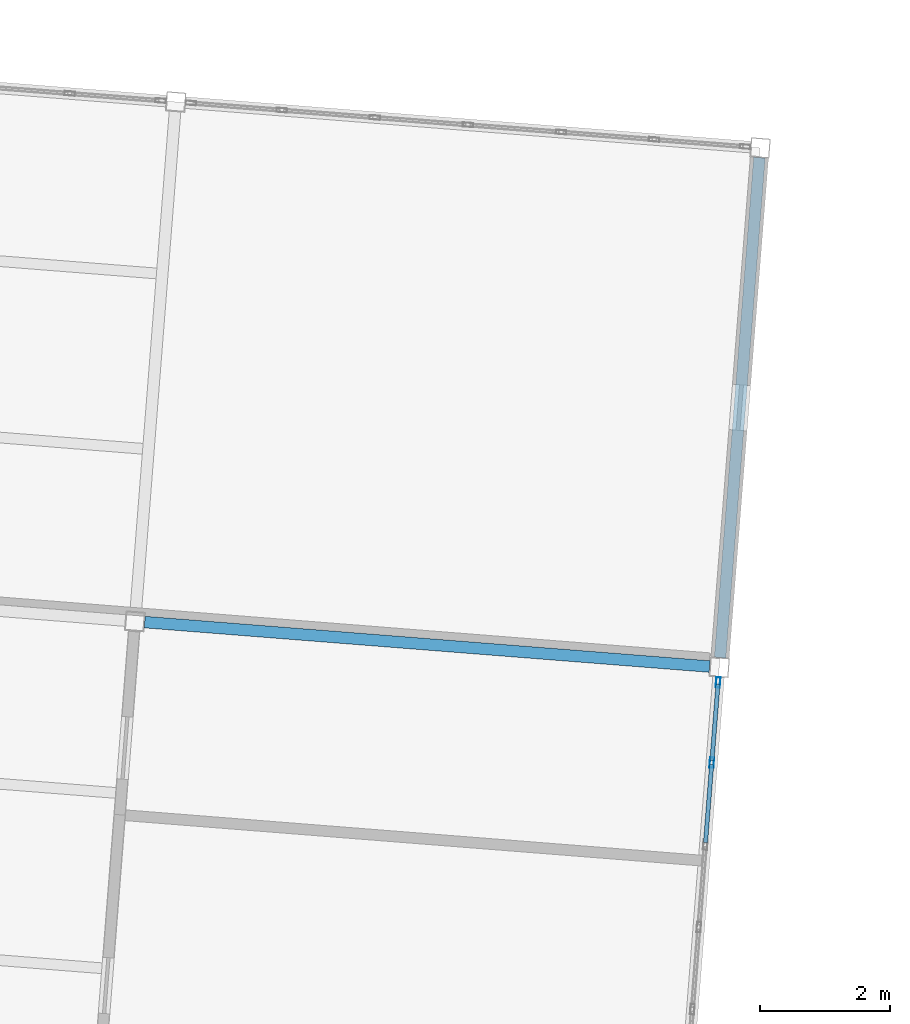
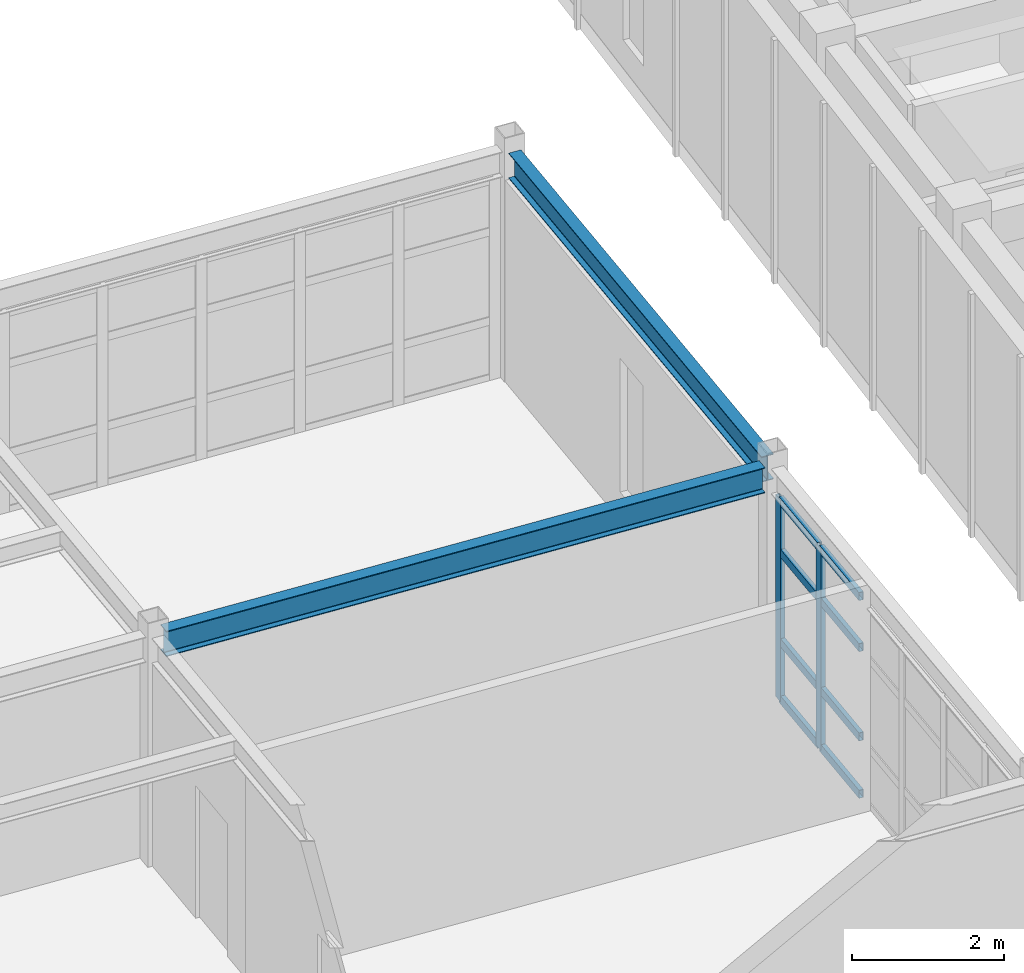
# One storey, part 54 of 150: 10 members, 2 beams, 1 element without a shape of its own.
"""IFC4 building model written with IfcOpenShell, lengths in metres."""

import ifcopenshell
import ifcopenshell.guid

model = None  # the IFC model being written
_history = None  # IfcOwnerHistory: only IFC2X3 demands one
_inside = {}  # id of a spatial element -> (the spatial element, [elements in it])
_under = {}  # id of a project, library or spatial element -> (it, [spatial elements below it])
_declared = {}  # id of a project -> (the project, [libraries it declares])
_typed = {}  # id of a type object -> (the type object, [elements of that type])
_made_of = {}  # id of a material, layer set ... -> (it, [elements and type objects made of it])


def new_model(schema):
    """Start an empty IFC model of exactly this schema.

    Asked for "IFC4X3", IfcOpenShell would pick the latest addendum, in which some entities
    have other attributes; the version numbers below select the first issue.
    IFC2X3 requires an IfcOwnerHistory on every rooted entity: one is made here for all.
    """
    global model, _history
    if schema == "IFC4X3":
        model = ifcopenshell.file(schema_version=(4, 3, 0, 0))
    else:
        model = ifcopenshell.file(schema=schema)
    _inside.clear()
    _under.clear()
    _declared.clear()
    _typed.clear()
    _made_of.clear()
    _history = None
    if model.schema == "IFC2X3":
        org = make("IfcOrganization", Name="unknown")
        user = make(
            "IfcPersonAndOrganization",
            ThePerson=make("IfcPerson", FamilyName="unknown"),
            TheOrganization=org,
        )
        app = make(
            "IfcApplication",
            ApplicationDeveloper=org,
            Version="unknown",
            ApplicationFullName="unknown",
            ApplicationIdentifier="unknown",
        )
        _history = make(
            "IfcOwnerHistory",
            OwningUser=user,
            OwningApplication=app,
            ChangeAction="ADDED",
            CreationDate=0,
        )
    return model


def make(cls, **values):
    """One entity of the class cls with the attributes given. An attribute that is None is left unset."""
    return model.create_entity(
        cls, **{name: value for name, value in values.items() if value is not None}
    )


def rooted(cls, **values):
    """An entity with a GlobalId (a new one), such as an element, a storey or a relation."""
    return make(cls, GlobalId=ifcopenshell.guid.new(), OwnerHistory=_history, **values)


def si_unit(unit_type, name, prefix=None):
    """IfcSIUnit, for example si_unit("LENGTHUNIT", "METRE", prefix="MILLI")."""
    return make("IfcSIUnit", UnitType=unit_type, Prefix=prefix, Name=name)


def assignment(units):
    """IfcUnitAssignment: the units of a project."""
    return None if units is None else make("IfcUnitAssignment", Units=units)


def point(xyz):
    """IfcCartesianPoint."""
    return None if xyz is None else make("IfcCartesianPoint", Coordinates=xyz)


def direction(xyz):
    """IfcDirection."""
    return None if xyz is None else make("IfcDirection", DirectionRatios=xyz)


def frame(location, z_axis=None, x_axis=None):
    """IfcAxis2Placement3D, a coordinate frame: its origin and axes. An axis left out is left unset."""
    return make(
        "IfcAxis2Placement3D",
        Location=point(location),
        Axis=direction(z_axis),
        RefDirection=direction(x_axis),
    )


def frame_2d(location, x_axis=None):
    """IfcAxis2Placement2D, a coordinate frame in the plane: its origin and x axis."""
    return make(
        "IfcAxis2Placement2D", Location=point(location), RefDirection=direction(x_axis)
    )


def origin():
    """The frame at (0, 0, 0) with its axes left unset."""
    return frame((0.0, 0.0, 0.0))


def origin_2d():
    """The frame at (0, 0) in the plane with its x axis left unset."""
    return frame_2d((0.0, 0.0))


def place(relative_to, where):
    """IfcLocalPlacement: puts the frame where relative to a parent placement (None: the world)."""
    return make(
        "IfcLocalPlacement", PlacementRelTo=relative_to, RelativePlacement=where
    )


def context(
    kind, dimensions, precision=None, world=None, true_north=None, identifier=None
):
    """IfcGeometricRepresentationContext, for example the 3D "Model" context."""
    return make(
        "IfcGeometricRepresentationContext",
        ContextIdentifier=identifier,
        ContextType=kind,
        CoordinateSpaceDimension=dimensions,
        Precision=precision,
        WorldCoordinateSystem=world,
        TrueNorth=true_north,
    )


def subcontext(parent, identifier, kind, view, scale=None):
    """IfcGeometricRepresentationSubContext, for example "Body" below "Model"."""
    return make(
        "IfcGeometricRepresentationSubContext",
        ContextIdentifier=identifier,
        ContextType=kind,
        ParentContext=parent,
        TargetScale=scale,
        TargetView=view,
    )


def project(units=None, contexts=None):
    """IfcProject with its units and contexts."""
    return rooted(
        "IfcProject",
        Name="project",
        RepresentationContexts=contexts,
        UnitsInContext=assignment(units),
    )


def spatial(cls, under=None, at=None, **own):
    """A site, building, storey or space (cls), placed at a placement, below another one or the project."""
    s = rooted(cls, ObjectPlacement=at, **own)
    if under is not None:
        _under.setdefault(under.id(), (under, []))[1].append(s)
    return s


def profile(cls, at=None, kind="AREA", **sizes):
    """A parametric profile (cls). Its sizes go by their IFC names, for example OverallWidth=200.0."""
    return make(cls, ProfileType=kind, Position=at, **sizes)


def hollow_rectangle(**sizes):
    """IfcRectangleHollowProfileDef."""
    return profile("IfcRectangleHollowProfileDef", **sizes)


def i_section(**sizes):
    """IfcIShapeProfileDef."""
    return profile("IfcIShapeProfileDef", **sizes)


def extrude(swept, where, along, depth):
    """IfcExtrudedAreaSolid: the profile swept, set in the frame where, extruded along a direction by depth."""
    return make(
        "IfcExtrudedAreaSolid",
        SweptArea=swept,
        Position=where,
        ExtrudedDirection=direction(along),
        Depth=depth,
    )


def shape(context_of_items, identifier, shape_type, items):
    """IfcShapeRepresentation: the items that make up one representation, for example the "Body"."""
    return make(
        "IfcShapeRepresentation",
        ContextOfItems=context_of_items,
        RepresentationIdentifier=identifier,
        RepresentationType=shape_type,
        Items=items,
    )


def material(Name=None, Category=None):
    """IfcMaterial."""
    return make("IfcMaterial", Name=Name, Category=Category)


def material_profile(
    of_material, cross_section, Name=None, Category=None, Priority=None
):
    """IfcMaterialProfile: a cross section and its material."""
    return make(
        "IfcMaterialProfile",
        Name=Name,
        Material=of_material,
        Profile=cross_section,
        Priority=Priority,
        Category=Category,
    )


def profile_set(profiles, Name=None, composite=None):
    """IfcMaterialProfileSet."""
    return make(
        "IfcMaterialProfileSet",
        Name=Name,
        MaterialProfiles=profiles,
        CompositeProfile=composite,
    )


def made_of(thing, what):
    """Note that an element or type object is made of a material, layer set ...; save() writes the relation."""
    if what is not None:
        _made_of.setdefault(what.id(), (what, []))[1].append(thing)
    return thing


def type_object(cls, material=None, **own):
    """A type object (cls), such as IfcWallType, which elements share."""
    return made_of(rooted(cls, **own), material)


def element(
    cls,
    number,
    at=None,
    inside=None,
    cuts=None,
    type_object=None,
    material=None,
    context=None,
    identifier="Body",
    shape_type=None,
    held_by="IfcProductDefinitionShape",
    body=None,
    shapes=None,
    **own,
):
    """One element of the class cls, such as IfcWall. Its Tag is "e" and its number.

    at: its placement. inside: the storey or other place that contains it. cuts: it is an
    opening in that element (IfcRelVoidsElement). A single representation is given by context,
    identifier, shape_type and body (its items); several are given by shapes. held_by: the class
    of the entity that holds the representations. save() writes the other relations.
    """
    e = rooted(cls, Tag="e%d" % number, ObjectPlacement=at, **own)
    if body is not None:
        shapes = [shape(context, identifier, shape_type, body)]
    if shapes is not None:
        e.Representation = make(held_by, Representations=shapes)
    if inside is not None:
        _inside.setdefault(inside.id(), (inside, []))[1].append(e)
    if cuts is not None:
        rooted(
            "IfcRelVoidsElement", RelatingBuildingElement=cuts, RelatedOpeningElement=e
        )
    if type_object is not None:
        _typed.setdefault(type_object.id(), (type_object, []))[1].append(e)
    return made_of(e, material)


def aggregate(whole, parts):
    """IfcRelAggregates: a whole, such as a stair, and the parts it consists of."""
    return rooted("IfcRelAggregates", RelatingObject=whole, RelatedObjects=parts)


def save(model, path):
    """Write the relations noted so far, then the file.

    IfcRelAggregates (storeys below a building ...), IfcRelContainedInSpatialStructure (elements
    in a storey), IfcRelDefinesByType, IfcRelAssociatesMaterial and IfcRelDeclares: one each for
    every whole, place, type object, material and project.
    """
    for whole, parts in _under.values():
        aggregate(whole, parts)
    for where, things in _inside.values():
        rooted(
            "IfcRelContainedInSpatialStructure",
            RelatedElements=things,
            RelatingStructure=where,
        )
    for kind, things in _typed.values():
        rooted("IfcRelDefinesByType", RelatedObjects=things, RelatingType=kind)
    for what, things in _made_of.values():
        rooted("IfcRelAssociatesMaterial", RelatedObjects=things, RelatingMaterial=what)
    for by, libraries in _declared.values():
        rooted("IfcRelDeclares", RelatingContext=by, RelatedDefinitions=libraries)
    model.write(path)


model = new_model("IFC4")

# Units and contexts
model_context = context("Model", 3, precision=1e-05, world=origin(), true_north=direction((0.0, 1.0)))
body_context = subcontext(model_context, "Body", "Model", "MODEL_VIEW")
ifc_project = project(units=[si_unit("LENGTHUNIT", "METRE"), si_unit("AREAUNIT", "SQUARE_METRE"), si_unit("VOLUMEUNIT", "CUBIC_METRE"), si_unit("PLANEANGLEUNIT", "RADIAN"), si_unit("MASSUNIT", "GRAM", prefix="KILO")], contexts=[model_context])

# Site, building, storey
site_placement = place(None, origin())
site = spatial("IfcSite", under=ifc_project, at=site_placement, CompositionType="ELEMENT")
building_placement = place(site_placement, origin())
building = spatial("IfcBuilding", under=site, at=building_placement, Name="Kestramere Prow Commons", CompositionType="ELEMENT")
storey_placement = place(building_placement, frame((0.0, 0.0, 4.5)))
storey = spatial("IfcBuildingStorey", under=building, at=storey_placement, Name="L01", CompositionType="ELEMENT", Elevation=4.5)

# Beams
ifc_material_1 = material(Name="Steel S355JR", Category="steel")
ifc_material_profile_1 = material_profile(ifc_material_1, i_section(OverallWidth=0.177978515625, OverallDepth=0.406494140625, WebThickness=0.0078125, FlangeThickness=0.0126953125, FilletRadius=0.01025390625, at=origin_2d()), Name="UB 406x178x60")
ifc_profile_set_1 = profile_set([ifc_material_profile_1], Name="Steel S355JR")
beam_type_1 = type_object("IfcBeamType", Name="BM-NR-01 UB 406x178x60", PredefinedType="BEAM", material=ifc_profile_set_1)
beam_1_placement = place(storey_placement, frame((96.921630859375, 99.320556640625, 3.44677734375), z_axis=(0.996917066238, -0.078462494502, 0.0), x_axis=(0.078462494502, 0.996917066238, 0.0)))
element("IfcBeam", 1, at=beam_1_placement, inside=storey, type_object=beam_type_1, Name="Nursery L01 Beam U 3-4", PredefinedType="BEAM", context=body_context, shape_type="SweptSolid", body=[
    extrude(i_section(OverallWidth=0.177978515625, OverallDepth=0.406494140625, WebThickness=0.0078125, FlangeThickness=0.0126953125, FilletRadius=0.01025390625, at=origin_2d()), origin(), (0.0, 0.0, 1.0), 8.699951171875),
])
ifc_material_profile_2 = material_profile(ifc_material_1, i_section(OverallWidth=0.177978515625, OverallDepth=0.406494140625, WebThickness=0.0078125, FlangeThickness=0.0126953125, FilletRadius=0.01025390625, at=origin_2d()), Name="UB 406x178x60")
ifc_profile_set_2 = profile_set([ifc_material_profile_2], Name="Steel S355JR")
beam_type_2 = type_object("IfcBeamType", Name="BM-NR-01 UB 406x178x60 (EX)", PredefinedType="BEAM", material=ifc_profile_set_2)
beam_2_placement = place(storey_placement, frame((105.756103515625, 98.775634765625, 3.44677734375), z_axis=(0.078473620365, 0.996916190513, 0.0), x_axis=(-0.996916190513, 0.078473620365, 0.0)))
element("IfcBeam", 2, at=beam_2_placement, inside=storey, type_object=beam_type_2, Name="Nursery L01 Beam V 5-3", PredefinedType="BEAM", context=body_context, shape_type="SweptSolid", body=[
    extrude(i_section(OverallWidth=0.177978515625, OverallDepth=0.406494140625, WebThickness=0.0078125, FlangeThickness=0.0126953125, FilletRadius=0.01025390625, at=origin_2d()), origin(), (0.0, 0.0, 1.0), 7.699951171875),
])

# Curtain wall, members
ifc_material_2 = material(Name="Anodised Aluminium and Low-E Glass", Category="aluminium")
curtain_wall_type = type_object("IfcCurtainWallType", Name="CW-16 Glazed Curtain Wall 7600x3230", PredefinedType="USERDEFINED", material=ifc_material_2)
curtain_wall_placement = place(storey_placement, origin())
curtain_wall = element("IfcCurtainWall", 3, at=curtain_wall_placement, inside=storey, type_object=curtain_wall_type, Name="Nursery L01 E End Glazing", ObjectType="GLAZED CURTAIN WALL", PredefinedType="USERDEFINED")
ifc_material_3 = material(Name="Anodised Aluminium 6063-T6", Category="aluminium")
ifc_material_profile_3 = material_profile(ifc_material_3, hollow_rectangle(XDim=0.06494140625, YDim=0.159912109375, WallThickness=0.00390625, at=origin_2d()), Name="ALU-MUL 65x160")
ifc_profile_set_3 = profile_set([ifc_material_profile_3], Name="Anodised Aluminium 6063-T6")
member_type_1 = type_object("IfcMemberType", Name="CW-MUL-65x160", PredefinedType="MULLION", material=ifc_profile_set_3)
member_1_placement = place(storey_placement, frame((105.72607421875, 98.394287109375, 0.0), z_axis=(0.0, 0.0, 1.0), x_axis=(0.996917334449, -0.078459086628, 0.0)))
member_1 = element("IfcMember", 4, at=member_1_placement, type_object=member_type_1, Name="CW-16 mullion 1", PredefinedType="MULLION", context=body_context, shape_type="SweptSolid", body=[
    extrude(hollow_rectangle(XDim=0.06494140625, YDim=0.159912109375, WallThickness=0.00390625, at=origin_2d()), origin(), (0.0, 0.0, 1.0), 3.22998046875),
])
member_2_placement = place(storey_placement, frame((105.62939453125, 97.1640625, 0.0), z_axis=(0.0, 0.0, 1.0), x_axis=(0.996917334449, -0.078459086628, 0.0)))
member_2 = element("IfcMember", 5, at=member_2_placement, type_object=member_type_1, Name="CW-16 mullion 2", PredefinedType="MULLION", context=body_context, shape_type="SweptSolid", body=[
    extrude(hollow_rectangle(XDim=0.06494140625, YDim=0.159912109375, WallThickness=0.00390625, at=origin_2d()), origin(), (0.0, 0.0, 1.0), 3.22998046875),
])
ifc_material_profile_4 = material_profile(ifc_material_3, hollow_rectangle(XDim=0.06494140625, YDim=0.1298828125, WallThickness=0.00390625, at=origin_2d()), Name="ALU-TRN 65x130")
ifc_profile_set_4 = profile_set([ifc_material_profile_4], Name="Anodised Aluminium 6063-T6")
member_type_2 = type_object("IfcMemberType", Name="CW-TRN-65x130", PredefinedType="USERDEFINED", material=ifc_profile_set_4)
member_3_placement = place(storey_placement, frame((105.7236328125, 98.362060546875, 0.032470703125), z_axis=(-0.078500459295, -0.996914077486, 0.0), x_axis=(0.996914077486, -0.078500459295, 0.0)))
member_3 = element("IfcMember", 6, at=member_3_placement, type_object=member_type_2, Name="CW-16 transom 1.1", ObjectType="TRANSOM", PredefinedType="USERDEFINED", context=body_context, shape_type="SweptSolid", body=[
    extrude(hollow_rectangle(XDim=0.06494140625, YDim=0.1298828125, WallThickness=0.00390625, at=origin_2d()), origin(), (0.0, 0.0, 1.0), 1.16943359375),
])
member_4_placement = place(storey_placement, frame((105.7236328125, 98.362060546875, 0.949951171875), z_axis=(-0.078500459295, -0.996914077486, 0.0), x_axis=(0.996914077486, -0.078500459295, 0.0)))
member_4 = element("IfcMember", 7, at=member_4_placement, type_object=member_type_2, Name="CW-16 transom 1.2", ObjectType="TRANSOM", PredefinedType="USERDEFINED", context=body_context, shape_type="SweptSolid", body=[
    extrude(hollow_rectangle(XDim=0.06494140625, YDim=0.1298828125, WallThickness=0.00390625, at=origin_2d()), origin(), (0.0, 0.0, 1.0), 1.16943359375),
])
member_5_placement = place(storey_placement, frame((105.7236328125, 98.362060546875, 2.3798828125), z_axis=(-0.078500459295, -0.996914077486, 0.0), x_axis=(0.996914077486, -0.078500459295, 0.0)))
member_5 = element("IfcMember", 8, at=member_5_placement, type_object=member_type_2, Name="CW-16 transom 1.3", ObjectType="TRANSOM", PredefinedType="USERDEFINED", context=body_context, shape_type="SweptSolid", body=[
    extrude(hollow_rectangle(XDim=0.06494140625, YDim=0.1298828125, WallThickness=0.00390625, at=origin_2d()), origin(), (0.0, 0.0, 1.0), 1.16943359375),
])
member_6_placement = place(storey_placement, frame((105.7236328125, 98.362060546875, 3.197509765625), z_axis=(-0.078500459295, -0.996914077486, 0.0), x_axis=(0.996914077486, -0.078500459295, 0.0)))
member_6 = element("IfcMember", 9, at=member_6_placement, type_object=member_type_2, Name="CW-16 transom 1.4", ObjectType="TRANSOM", PredefinedType="USERDEFINED", context=body_context, shape_type="SweptSolid", body=[
    extrude(hollow_rectangle(XDim=0.06494140625, YDim=0.1298828125, WallThickness=0.00390625, at=origin_2d()), origin(), (0.0, 0.0, 1.0), 1.16943359375),
])
member_7_placement = place(storey_placement, frame((105.626708984375, 97.131591796875, 0.032470703125), z_axis=(-0.078420878648, -0.996920340745, 0.0), x_axis=(0.996920340745, -0.078420878648, 0.0)))
member_7 = element("IfcMember", 10, at=member_7_placement, type_object=member_type_2, Name="CW-16 transom 2.1", ObjectType="TRANSOM", PredefinedType="USERDEFINED", context=body_context, shape_type="SweptSolid", body=[
    extrude(hollow_rectangle(XDim=0.06494140625, YDim=0.1298828125, WallThickness=0.00390625, at=origin_2d()), origin(), (0.0, 0.0, 1.0), 1.20166015625),
])
member_8_placement = place(storey_placement, frame((105.626708984375, 97.131591796875, 0.949951171875), z_axis=(-0.078420878648, -0.996920340745, 0.0), x_axis=(0.996920340745, -0.078420878648, 0.0)))
member_8 = element("IfcMember", 11, at=member_8_placement, type_object=member_type_2, Name="CW-16 transom 2.2", ObjectType="TRANSOM", PredefinedType="USERDEFINED", context=body_context, shape_type="SweptSolid", body=[
    extrude(hollow_rectangle(XDim=0.06494140625, YDim=0.1298828125, WallThickness=0.00390625, at=origin_2d()), origin(), (0.0, 0.0, 1.0), 1.20166015625),
])
member_9_placement = place(storey_placement, frame((105.626708984375, 97.131591796875, 2.3798828125), z_axis=(-0.078420878648, -0.996920340745, 0.0), x_axis=(0.996920340745, -0.078420878648, 0.0)))
member_9 = element("IfcMember", 12, at=member_9_placement, type_object=member_type_2, Name="CW-16 transom 2.3", ObjectType="TRANSOM", PredefinedType="USERDEFINED", context=body_context, shape_type="SweptSolid", body=[
    extrude(hollow_rectangle(XDim=0.06494140625, YDim=0.1298828125, WallThickness=0.00390625, at=origin_2d()), origin(), (0.0, 0.0, 1.0), 1.20166015625),
])
member_10_placement = place(storey_placement, frame((105.626708984375, 97.131591796875, 3.197509765625), z_axis=(-0.078420878648, -0.996920340745, 0.0), x_axis=(0.996920340745, -0.078420878648, 0.0)))
member_10 = element("IfcMember", 13, at=member_10_placement, type_object=member_type_2, Name="CW-16 transom 2.4", ObjectType="TRANSOM", PredefinedType="USERDEFINED", context=body_context, shape_type="SweptSolid", body=[
    extrude(hollow_rectangle(XDim=0.06494140625, YDim=0.1298828125, WallThickness=0.00390625, at=origin_2d()), origin(), (0.0, 0.0, 1.0), 1.20166015625),
])
aggregate(curtain_wall, [member_1, member_2, member_3, member_4, member_5, member_6, member_7, member_8, member_9, member_10])

save(model, "model.ifc")
